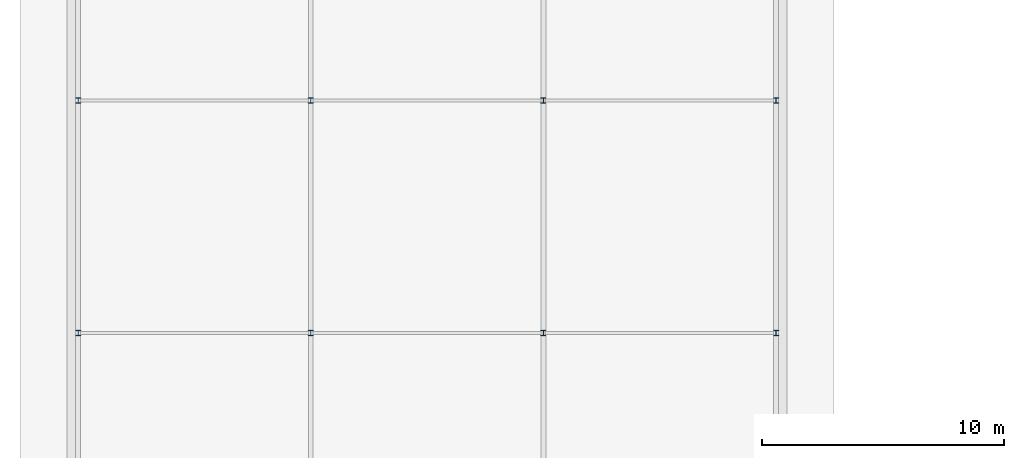
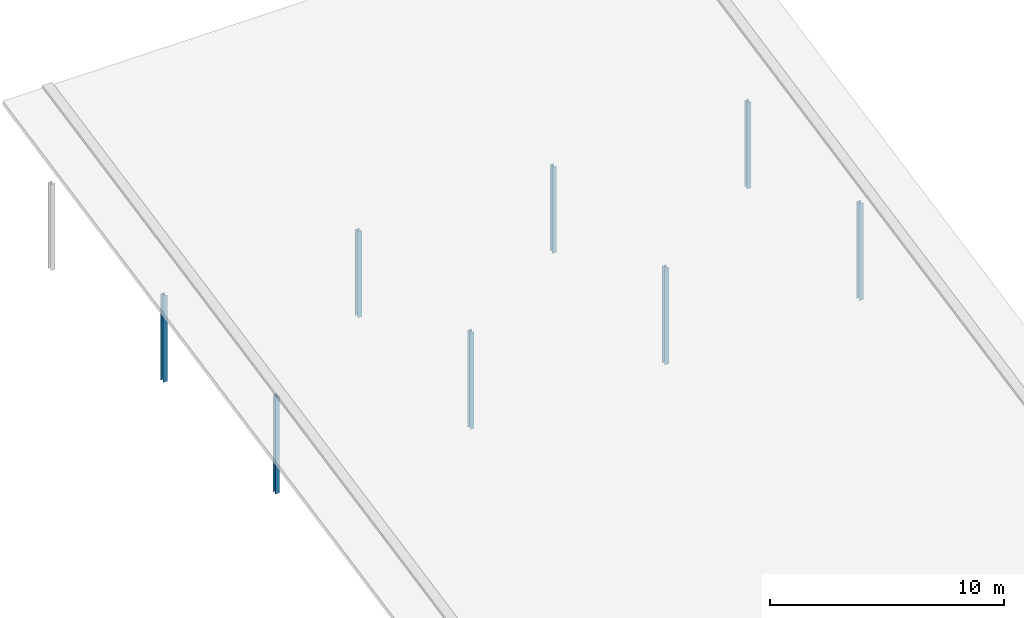
# One storey, part 9 of 59: 8 columns.
"""IFC4 building model written with IfcOpenShell, lengths in metres."""

from ifc_helpers import new_model, si_unit, direction, frame, origin, origin_2d, place, context, subcontext, project, spatial, i_section, extrude, material, material_profile, profile_set, type_object, element, save


model = new_model("IFC4")

# Units and contexts
model_context = context("Model", 3, precision=1e-05, world=origin(), true_north=direction((0.0, 1.0)))
body_context = subcontext(model_context, "Body", "Model", "MODEL_VIEW")
ifc_project = project(units=[si_unit("LENGTHUNIT", "METRE"), si_unit("AREAUNIT", "SQUARE_METRE"), si_unit("VOLUMEUNIT", "CUBIC_METRE"), si_unit("PLANEANGLEUNIT", "RADIAN"), si_unit("MASSUNIT", "GRAM", prefix="KILO")], contexts=[model_context])

# Site, building, storey
site_placement = place(None, origin())
site = spatial("IfcSite", under=ifc_project, at=site_placement, CompositionType="ELEMENT")
building_placement = place(site_placement, origin())
building = spatial("IfcBuilding", under=site, at=building_placement, Name="Dunescarp Central Library", CompositionType="ELEMENT")
storey_placement = place(building_placement, frame((0.0, 0.0, 18.60009765625)))
storey = spatial("IfcBuildingStorey", under=building, at=storey_placement, Name="L04", CompositionType="ELEMENT", Elevation=18.60009765625)

# Columns
ifc_material = material(Name="Steel S355JR", Category="steel")
ifc_material_profile = material_profile(ifc_material, i_section(OverallWidth=0.206298828125, OverallDepth=0.2158203125, WebThickness=0.010009765625, FlangeThickness=0.017333984375, at=origin_2d()), Name="UC 203x203x71")
ifc_profile_set = profile_set([ifc_material_profile], Name="Steel S355JR")
column_type = type_object("IfcColumnType", Name="STR-COL-UC203X71", PredefinedType="COLUMN", material=ifc_profile_set)
column_1_placement = place(storey_placement, frame((0.0, 70.39990234375, 0.0), z_axis=(0.0, 0.0, 1.0), x_axis=(1.0, 0.0, 0.0)))
element("IfcColumn", 1, at=column_1_placement, inside=storey, type_object=column_type, Name="L04 column V4M-0-704", PredefinedType="COLUMN", context=body_context, shape_type="SweptSolid", body=[
    extrude(i_section(OverallWidth=0.206298828125, OverallDepth=0.2158203125, WebThickness=0.010009765625, FlangeThickness=0.017333984375, at=origin_2d()), origin(), (0.0, 0.0, 1.0), 5.055908203125),
])
column_2_placement = place(storey_placement, frame((0.0, 80.0, 0.0), z_axis=(0.0, 0.0, 1.0), x_axis=(1.0, 0.0, 0.0)))
element("IfcColumn", 2, at=column_2_placement, inside=storey, type_object=column_type, Name="L04 column V4M-0-800", PredefinedType="COLUMN", context=body_context, shape_type="SweptSolid", body=[
    extrude(i_section(OverallWidth=0.206298828125, OverallDepth=0.2158203125, WebThickness=0.010009765625, FlangeThickness=0.017333984375, at=origin_2d()), origin(), (0.0, 0.0, 1.0), 4.5),
])
column_3_placement = place(storey_placement, frame((9.60009765625, 70.39990234375, 0.0), z_axis=(0.0, 0.0, 1.0), x_axis=(1.0, 0.0, 0.0)))
element("IfcColumn", 3, at=column_3_placement, inside=storey, type_object=column_type, Name="L04 column V4M-96-704", PredefinedType="COLUMN", context=body_context, shape_type="SweptSolid", body=[
    extrude(i_section(OverallWidth=0.206298828125, OverallDepth=0.2158203125, WebThickness=0.010009765625, FlangeThickness=0.017333984375, at=origin_2d()), origin(), (0.0, 0.0, 1.0), 5.055908203125),
])
column_4_placement = place(storey_placement, frame((9.60009765625, 80.0, 0.0), z_axis=(0.0, 0.0, 1.0), x_axis=(1.0, 0.0, 0.0)))
element("IfcColumn", 4, at=column_4_placement, inside=storey, type_object=column_type, Name="L04 column V4M-96-800", PredefinedType="COLUMN", context=body_context, shape_type="SweptSolid", body=[
    extrude(i_section(OverallWidth=0.206298828125, OverallDepth=0.2158203125, WebThickness=0.010009765625, FlangeThickness=0.017333984375, at=origin_2d()), origin(), (0.0, 0.0, 1.0), 4.5),
])
column_5_placement = place(storey_placement, frame((19.199951171875, 70.39990234375, 0.0), z_axis=(0.0, 0.0, 1.0), x_axis=(1.0, 0.0, 0.0)))
element("IfcColumn", 5, at=column_5_placement, inside=storey, type_object=column_type, Name="L04 column V4M-192-704", PredefinedType="COLUMN", context=body_context, shape_type="SweptSolid", body=[
    extrude(i_section(OverallWidth=0.206298828125, OverallDepth=0.2158203125, WebThickness=0.010009765625, FlangeThickness=0.017333984375, at=origin_2d()), origin(), (0.0, 0.0, 1.0), 5.055908203125),
])
column_6_placement = place(storey_placement, frame((19.199951171875, 80.0, 0.0), z_axis=(0.0, 0.0, 1.0), x_axis=(1.0, 0.0, 0.0)))
element("IfcColumn", 6, at=column_6_placement, inside=storey, type_object=column_type, Name="L04 column V4M-192-800", PredefinedType="COLUMN", context=body_context, shape_type="SweptSolid", body=[
    extrude(i_section(OverallWidth=0.206298828125, OverallDepth=0.2158203125, WebThickness=0.010009765625, FlangeThickness=0.017333984375, at=origin_2d()), origin(), (0.0, 0.0, 1.0), 4.5),
])
column_7_placement = place(storey_placement, frame((28.800048828125, 70.39990234375, 0.0), z_axis=(0.0, 0.0, 1.0), x_axis=(1.0, 0.0, 0.0)))
element("IfcColumn", 7, at=column_7_placement, inside=storey, type_object=column_type, Name="L04 column V4M-288-704", PredefinedType="COLUMN", context=body_context, shape_type="SweptSolid", body=[
    extrude(i_section(OverallWidth=0.206298828125, OverallDepth=0.2158203125, WebThickness=0.010009765625, FlangeThickness=0.017333984375, at=origin_2d()), origin(), (0.0, 0.0, 1.0), 5.055908203125),
])
column_8_placement = place(storey_placement, frame((28.800048828125, 80.0, 0.0), z_axis=(0.0, 0.0, 1.0), x_axis=(1.0, 0.0, 0.0)))
element("IfcColumn", 8, at=column_8_placement, inside=storey, type_object=column_type, Name="L04 column V4M-288-800", PredefinedType="COLUMN", context=body_context, shape_type="SweptSolid", body=[
    extrude(i_section(OverallWidth=0.206298828125, OverallDepth=0.2158203125, WebThickness=0.010009765625, FlangeThickness=0.017333984375, at=origin_2d()), origin(), (0.0, 0.0, 1.0), 4.5),
])

save(model, "model.ifc")
